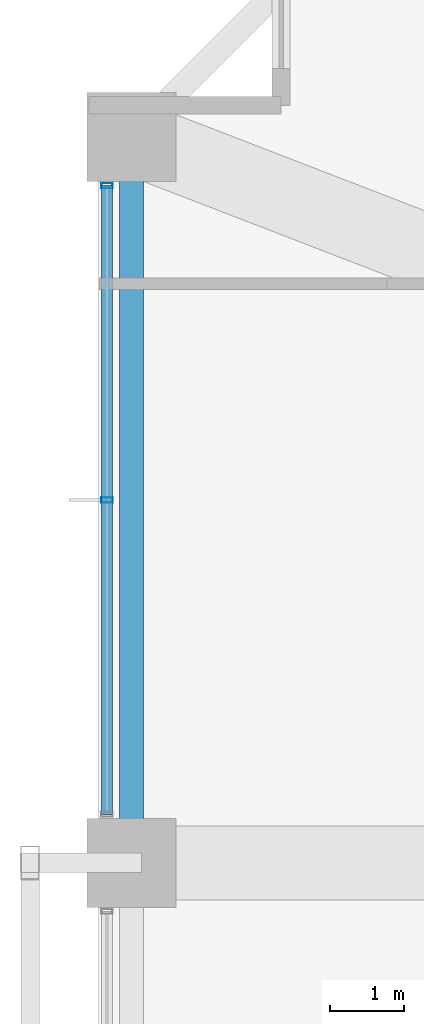
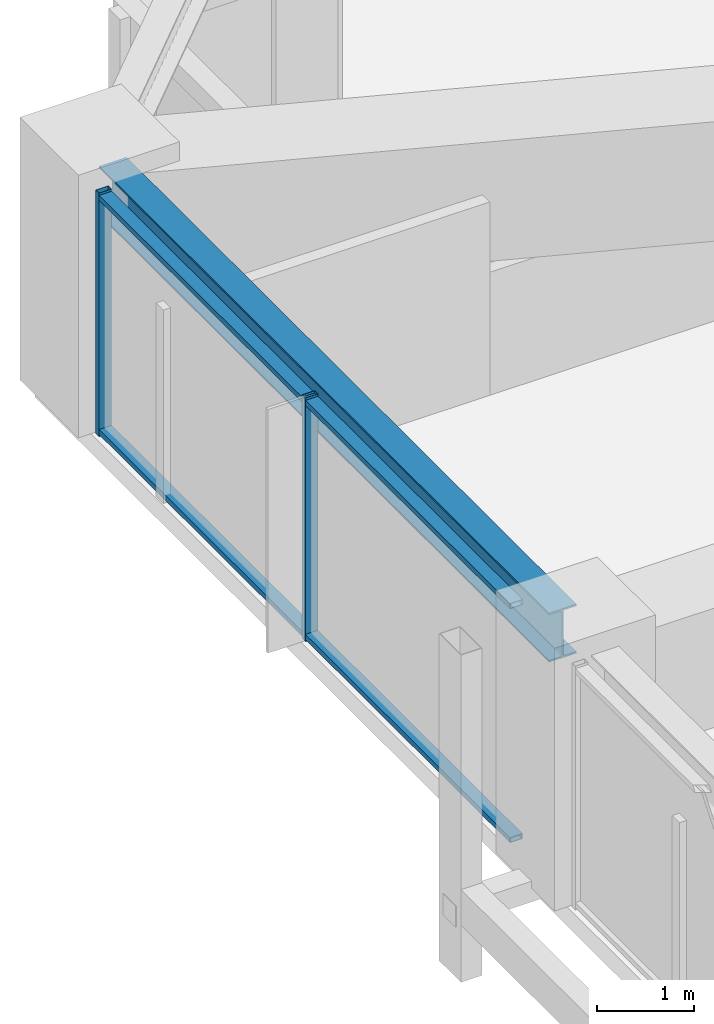
# One storey, part 16 of 37: 4 members, 1 beam, 1 element without a shape of its own.
"""IFC4 building model written with IfcOpenShell, lengths in metres."""

from ifc_helpers import new_model, si_unit, direction, frame, origin, origin_2d, place, context, subcontext, project, spatial, hollow_rectangle, i_section, extrude, material, material_profile, profile_set, type_object, element, aggregate, save


model = new_model("IFC4")

# Units and contexts
model_context = context("Model", 3, precision=1e-05, world=origin(), true_north=direction((0.0, 1.0)))
body_context = subcontext(model_context, "Body", "Model", "MODEL_VIEW")
ifc_project = project(units=[si_unit("LENGTHUNIT", "METRE"), si_unit("AREAUNIT", "SQUARE_METRE"), si_unit("VOLUMEUNIT", "CUBIC_METRE"), si_unit("PLANEANGLEUNIT", "RADIAN"), si_unit("MASSUNIT", "GRAM", prefix="KILO")], contexts=[model_context])

# Site, building, storey
site_placement = place(None, origin())
site = spatial("IfcSite", under=ifc_project, at=site_placement, CompositionType="ELEMENT")
building_placement = place(site_placement, origin())
building = spatial("IfcBuilding", under=site, at=building_placement, Name="Kolvaren Belvedere", CompositionType="ELEMENT")
storey_placement = place(building_placement, frame((0.0, 0.0, 43.60009765625)))
storey = spatial("IfcBuildingStorey", under=building, at=storey_placement, Name="L12", CompositionType="ELEMENT", Elevation=43.60009765625)

# Beam
ifc_material_1 = material(Name="Structural steel ASTM A992 Grade 50", Category="steel")
ifc_material_profile_1 = material_profile(ifc_material_1, i_section(OverallWidth=0.324951171875, OverallDepth=0.615966796875, WebThickness=0.013916015625, FlangeThickness=0.021484375, FilletRadius=0.02001953125, at=origin_2d()), Name="W24X117")
ifc_profile_set_1 = profile_set([ifc_material_profile_1], Name="Structural steel ASTM A992 Grade 50")
beam_type = type_object("IfcBeamType", Name="BM-SPAN-W24X117", PredefinedType="SPANDREL", material=ifc_profile_set_1)
beam_placement = place(storey_placement, frame((-21.550048828125, 14.1298828125, 2.751953125), z_axis=(0.0, -1.0, 0.0), x_axis=(1.0, 0.0, 0.0)))
element("IfcBeam", 1, at=beam_placement, inside=storey, type_object=beam_type, Name="L12 Perimeter Spandrel W4-W3", PredefinedType="SPANDREL", context=body_context, shape_type="SweptSolid", body=[
    extrude(i_section(OverallWidth=0.324951171875, OverallDepth=0.615966796875, WebThickness=0.013916015625, FlangeThickness=0.021484375, FilletRadius=0.02001953125, at=origin_2d()), origin(), (0.0, 0.0, 1.0), 9.259765625),
])

# Curtain wall, members
ifc_material_2 = material(Name="Anodised pale-metal aluminium AA 6063-T6", Category="aluminium")
curtain_wall_type = type_object("IfcCurtainWallType", Name="CW-Z1-LOW", PredefinedType="NOTDEFINED", material=ifc_material_2)
curtain_wall_placement = place(storey_placement, origin())
curtain_wall = element("IfcCurtainWall", 2, at=curtain_wall_placement, inside=storey, type_object=curtain_wall_type, Name="L12 Unitised Curtain Wall FCW-L12-W-B3", PredefinedType="NOTDEFINED")
ifc_material_3 = material(Name="Anodised pale-metal aluminium AA 6063-T6", Category="aluminium")
ifc_material_profile_2 = material_profile(ifc_material_3, hollow_rectangle(XDim=0.070068359375, YDim=0.14990234375, WallThickness=0.004150390625, at=origin_2d()), Name="ALU-MUL-150X70")
ifc_profile_set_2 = profile_set([ifc_material_profile_2], Name="Anodised pale-metal aluminium AA 6063-T6")
member_type_1 = type_object("IfcMemberType", Name="CW-MUL-150", PredefinedType="MULLION", material=ifc_profile_set_2)
member_1_placement = place(storey_placement, frame((-21.8798828125, 9.5, 0.0), z_axis=(0.0, 0.0, 1.0), x_axis=(0.0, 1.0, 0.0)))
member_1 = element("IfcMember", 3, at=member_1_placement, type_object=member_type_1, Name="FCW-L12-W-B3 Unitised Mullion 2", PredefinedType="MULLION", context=body_context, shape_type="SweptSolid", body=[
    extrude(hollow_rectangle(XDim=0.070068359375, YDim=0.14990234375, WallThickness=0.004150390625, at=origin_2d()), origin(), (0.0, 0.0, 1.0), 3.059814453125),
])
member_2_placement = place(storey_placement, frame((-21.8798828125, 13.7451171875, 0.0), z_axis=(0.0, 0.0, 1.0), x_axis=(0.0, 1.0, 0.0)))
member_2 = element("IfcMember", 4, at=member_2_placement, type_object=member_type_1, Name="FCW-L12-W-B3 Unitised Mullion 3", PredefinedType="MULLION", context=body_context, shape_type="SweptSolid", body=[
    extrude(hollow_rectangle(XDim=0.070068359375, YDim=0.14990234375, WallThickness=0.004150390625, at=origin_2d()), origin(), (0.0, 0.0, 1.0), 3.059814453125),
])
ifc_material_4 = material(Name="Anodised pale-metal aluminium AA 6063-T6", Category="aluminium")
ifc_material_profile_3 = material_profile(ifc_material_4, hollow_rectangle(XDim=0.06494140625, YDim=0.14990234375, WallThickness=0.00390625, at=origin_2d()), Name="ALU-TRN-150X65")
ifc_profile_set_3 = profile_set([ifc_material_profile_3], Name="Anodised pale-metal aluminium AA 6063-T6")
member_type_2 = type_object("IfcMemberType", Name="CW-TRN-150", PredefinedType="USERDEFINED", material=ifc_profile_set_3)
member_3_placement = place(storey_placement, frame((-21.8798828125, 5.2548828125, 0.059814453125), z_axis=(0.0, 1.0, 0.0), x_axis=(0.0, 0.0, 1.0)))
member_3 = element("IfcMember", 5, at=member_3_placement, type_object=member_type_2, Name="FCW-L12-W-B3 Sill Transom", ObjectType="TRANSOM", PredefinedType="USERDEFINED", context=body_context, shape_type="SweptSolid", body=[
    extrude(hollow_rectangle(XDim=0.06494140625, YDim=0.14990234375, WallThickness=0.00390625, at=origin_2d()), origin(), (0.0, 0.0, 1.0), 8.490234375),
])
member_4_placement = place(storey_placement, frame((-21.8798828125, 5.2548828125, 3.0), z_axis=(0.0, 1.0, 0.0), x_axis=(0.0, 0.0, 1.0)))
member_4 = element("IfcMember", 6, at=member_4_placement, type_object=member_type_2, Name="FCW-L12-W-B3 Head Transom", ObjectType="TRANSOM", PredefinedType="USERDEFINED", context=body_context, shape_type="SweptSolid", body=[
    extrude(hollow_rectangle(XDim=0.06494140625, YDim=0.14990234375, WallThickness=0.00390625, at=origin_2d()), origin(), (0.0, 0.0, 1.0), 8.490234375),
])
aggregate(curtain_wall, [member_1, member_2, member_3, member_4])

save(model, "model.ifc")
